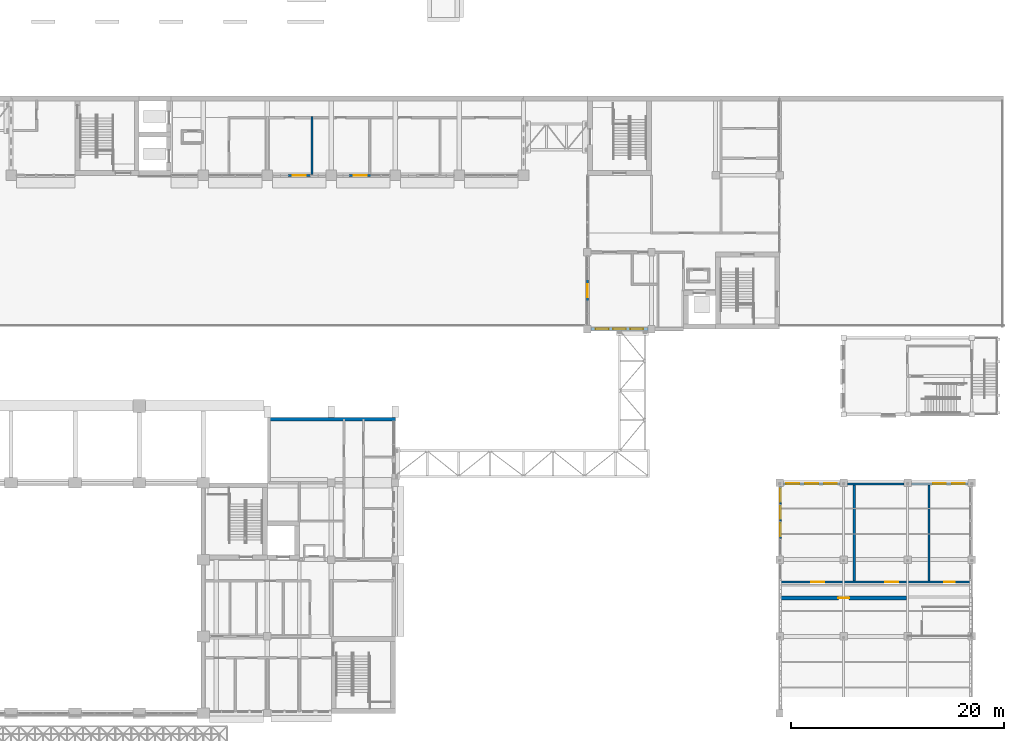
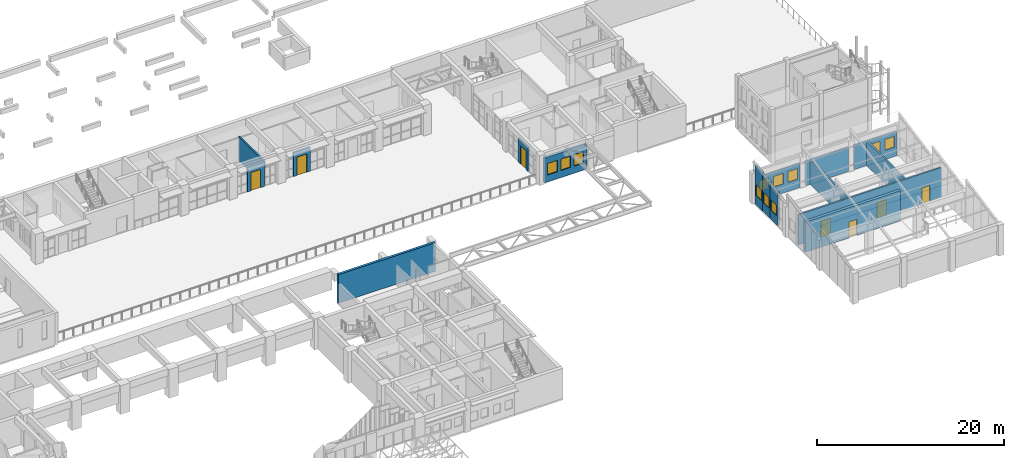
# One storey, part 69 of 103: 16 walls, 11 windows, 7 doors, 18 openings.
"""IFC4 building model written with IfcOpenShell, lengths in metres."""

from ifc_helpers import new_model, si_unit, direction, frame, frame_2d, origin, place, context, subcontext, project, spatial, rectangle, extrude, material, layer, layer_set, type_object, element, fill, save


model = new_model("IFC4")

# Units and contexts
model_context = context("Model", 3, precision=1e-05, world=origin(), true_north=direction((0.0, 1.0)))
body_context = subcontext(model_context, "Body", "Model", "MODEL_VIEW")
ifc_project = project(units=[si_unit("LENGTHUNIT", "METRE"), si_unit("AREAUNIT", "SQUARE_METRE"), si_unit("VOLUMEUNIT", "CUBIC_METRE"), si_unit("PLANEANGLEUNIT", "RADIAN"), si_unit("MASSUNIT", "GRAM", prefix="KILO")], contexts=[model_context])

# Site, building, storey
site_placement = place(None, origin())
site = spatial("IfcSite", under=ifc_project, at=site_placement, CompositionType="ELEMENT")
building_placement = place(site_placement, origin())
building = spatial("IfcBuilding", under=site, at=building_placement, Name="Laocheng Heights Fire and Rescue Headquarters", CompositionType="ELEMENT")
storey_placement = place(building_placement, frame((0.0, 0.0, 4.199951171875)))
storey = spatial("IfcBuildingStorey", under=building, at=storey_placement, Name="L01", CompositionType="ELEMENT", Elevation=4.199951171875)

# Walls
ifc_material_1 = material(Name="Gypsum plaster")
ifc_layer_1 = layer(ifc_material_1, 0.010009765625, Name="PLASTER", Category="plaster")
ifc_material_2 = material(Name="Concrete blockwork MU10", Category="masonry")
ifc_layer_2 = layer(ifc_material_2, 0.179931640625, Name="BLOCKWORK", Category="masonry")
ifc_layer_3 = layer(ifc_material_1, 0.010009765625, Name="PLASTER", Category="plaster")
ifc_layer_set_1 = layer_set([ifc_layer_1, ifc_layer_2, ifc_layer_3], Name="Concrete blockwork MU10")
wall_type_1 = type_object("IfcWallType", Name="BLOCKWORK FIRE PARTITION 200 EI 120 HQ WING", PredefinedType="PARTITIONING", material=ifc_layer_set_1)
wall_1_placement = place(storey_placement, frame((64.199951171875, 50.47509765625, 0.0), z_axis=(0.0, 0.0, 1.0), x_axis=(0.0, 1.0, 0.0)))
element("IfcWall", 1, at=wall_1_placement, inside=storey, type_object=wall_type_1, Name="Partition L01-004", PredefinedType="PARTITIONING", context=body_context, shape_type="SweptSolid", body=[
    extrude(rectangle(XDim=5.4248046875, YDim=0.199951171875, at=frame_2d((2.71240234375, 0.0))), origin(), (0.0, 0.0, 1.0), 3.150146484375),
])
ifc_material_3 = material(Name="Gypsum plaster")
ifc_layer_4 = layer(ifc_material_3, 0.010009765625, Name="PLASTER", Category="plaster")
ifc_material_4 = material(Name="Concrete blockwork MU10", Category="masonry")
ifc_layer_5 = layer(ifc_material_4, 0.179931640625, Name="BLOCKWORK", Category="masonry")
ifc_layer_6 = layer(ifc_material_3, 0.010009765625, Name="PLASTER", Category="plaster")
ifc_layer_set_2 = layer_set([ifc_layer_4, ifc_layer_5, ifc_layer_6], Name="Concrete blockwork MU10")
wall_type_2 = type_object("IfcWallType", Name="BLOCKWORK FIRE PARTITION 200 EI 60 WORK", PredefinedType="PARTITIONING", material=ifc_layer_set_2)
for number, where, z_axis, x_axis, name in (
    (2, (115.0, 12.39990234375, 0.0), (0.0, 0.0, 1.0), (0.0, 1.0, 0.0), "Partition L01-001"),
    (3, (122.0, 12.39990234375, 0.0), (0.0, 0.0, 1.0), (0.0, 1.0, 0.0), "Partition L01-002"),
):
    element("IfcWall", number, at=place(storey_placement, frame(where, z_axis=z_axis, x_axis=x_axis)), inside=storey, type_object=wall_type_2, Name=name, PredefinedType="PARTITIONING", context=body_context, shape_type="SweptSolid", body=[
        extrude(rectangle(XDim=9.050048828125, YDim=0.199951171875, at=frame_2d((4.52490234375, 0.0))), origin(), (0.0, 0.0, 1.0), 3.203857421875),
    ])

# Wall, openings, doors
wall_2_placement = place(storey_placement, frame((108.14990234375, 12.300048828125, 0.0), z_axis=(0.0, 0.0, 1.0), x_axis=(1.0, 0.0, 0.0)))
wall_2 = element("IfcWall", 4, at=wall_2_placement, inside=storey, type_object=wall_type_2, Name="Partition L01-004", PredefinedType="PARTITIONING", context=body_context, shape_type="SweptSolid", body=[
    extrude(rectangle(XDim=17.7001953125, YDim=0.199951171875, at=frame_2d((8.85009765625, 0.0))), origin(), (0.0, 0.0, 1.0), 3.949951171875),
])
opening_1_placement = place(wall_2_placement, frame((2.824951171875, 0.0, 0.0)))
opening_1 = element("IfcOpeningElement", 5, at=opening_1_placement, cuts=wall_2, Name="Opening L01-N02", PredefinedType="OPENING", context=body_context, shape_type="SweptSolid", body=[
    extrude(rectangle(XDim=1.199951171875, YDim=2.10009765625, at=frame_2d((0.60009765625, 1.050048828125))), frame((0.0, 0.10986328125, 0.0), z_axis=(0.0, -1.0, 0.0), x_axis=(1.0, 0.0, 0.0)), (0.0, 0.0, 1.0), 0.219970703125),
])
opening_2_placement = place(wall_2_placement, frame((9.75, 0.0, 0.0)))
opening_2 = element("IfcOpeningElement", 6, at=opening_2_placement, cuts=wall_2, Name="Opening L01-N03", PredefinedType="OPENING", context=body_context, shape_type="SweptSolid", body=[
    extrude(rectangle(XDim=1.199951171875, YDim=2.10009765625, at=frame_2d((0.60009765625, 1.050048828125))), frame((0.0, 0.10986328125, 0.0), z_axis=(0.0, -1.0, 0.0), x_axis=(1.0, 0.0, 0.0)), (0.0, 0.0, 1.0), 0.219970703125),
])
opening_3_placement = place(wall_2_placement, frame((15.27490234375, 0.0, 0.0)))
opening_3 = element("IfcOpeningElement", 7, at=opening_3_placement, cuts=wall_2, Name="Opening L01-N04", PredefinedType="OPENING", context=body_context, shape_type="SweptSolid", body=[
    extrude(rectangle(XDim=1.0, YDim=2.10009765625, at=frame_2d((0.5, 1.050048828125))), frame((0.0, 0.10986328125, 0.0), z_axis=(0.0, -1.0, 0.0), x_axis=(1.0, 0.0, 0.0)), (0.0, 0.0, 1.0), 0.219970703125),
])
ifc_material_5 = material(Name="Steel door leaf, painted", Category="steel")
door_type_1 = type_object("IfcDoorType", Name="STEEL FIRE DOOR 1000x2100 EI 60 WORK", OperationType="SINGLE_SWING_LEFT", PredefinedType="DOOR", material=ifc_material_5)
door_1_placement = place(opening_3_placement, origin())
door_1 = element("IfcDoor", 8, at=door_1_placement, inside=storey, type_object=door_type_1, Name="Door L01-N04", OperationType="SINGLE_SWING_LEFT", OverallHeight=2.10009765625, OverallWidth=1.0, PredefinedType="DOOR", context=body_context, shape_type="SweptSolid", body=[
    extrude(rectangle(XDim=1.0, YDim=2.10009765625, at=frame_2d((0.5, 1.050048828125))), frame((0.0, 0.02490234375, 0.0), z_axis=(0.0, -1.0, 0.0), x_axis=(1.0, 0.0, 0.0)), (0.0, 0.0, 1.0), 0.050048828125),
])
fill(opening_3, door_1)
ifc_material_6 = material(Name="Steel door leaf, painted", Category="steel")
door_type_2 = type_object("IfcDoorType", Name="STEEL FIRE DOOR 1200x2100 EI 60 WORK", OperationType="SINGLE_SWING_LEFT", PredefinedType="DOOR", material=ifc_material_6)
door_2_placement = place(opening_1_placement, origin())
door_2 = element("IfcDoor", 9, at=door_2_placement, inside=storey, type_object=door_type_2, Name="Door L01-N02", OperationType="SINGLE_SWING_RIGHT", OverallHeight=2.10009765625, OverallWidth=1.199951171875, PredefinedType="DOOR", context=body_context, shape_type="SweptSolid", body=[
    extrude(rectangle(XDim=1.199951171875, YDim=2.10009765625, at=frame_2d((0.60009765625, 1.050048828125))), frame((0.0, 0.02490234375, 0.0), z_axis=(0.0, -1.0, 0.0), x_axis=(1.0, 0.0, 0.0)), (0.0, 0.0, 1.0), 0.050048828125),
])
fill(opening_1, door_2)
door_3_placement = place(opening_2_placement, origin())
door_3 = element("IfcDoor", 10, at=door_3_placement, inside=storey, type_object=door_type_2, Name="Door L01-N03", OperationType="SINGLE_SWING_RIGHT", OverallHeight=2.10009765625, OverallWidth=1.199951171875, PredefinedType="DOOR", context=body_context, shape_type="SweptSolid", body=[
    extrude(rectangle(XDim=1.199951171875, YDim=2.10009765625, at=frame_2d((0.60009765625, 1.050048828125))), frame((0.0, 0.02490234375, 0.0), z_axis=(0.0, -1.0, 0.0), x_axis=(1.0, 0.0, 0.0)), (0.0, 0.0, 1.0), 0.050048828125),
])
fill(opening_2, door_3)

# Wall, opening, door
ifc_material_7 = material(Name="Precast concrete C40/50", Category="concrete")
ifc_layer_7 = layer(ifc_material_7, 0.199951171875)
ifc_layer_set_3 = layer_set([ifc_layer_7], Name="Precast concrete C40/50")
wall_type_3 = type_object("IfcWallType", Name="PRECAST ENTRANCE FRAME WALL 200", PredefinedType="SOLIDWALL", material=ifc_layer_set_3)
wall_3_placement = place(storey_placement, frame((61.949951171875, 50.39990234375, 0.0), z_axis=(0.0, 0.0, 1.0), x_axis=(1.0, 0.0, 0.0)))
wall_3 = element("IfcWall", 11, at=wall_3_placement, inside=storey, type_object=wall_type_3, Name="PRECAST ENTRANCE FRAME WALL HQ SOUTH L01", PredefinedType="SOLIDWALL", context=body_context, shape_type="SweptSolid", body=[
    extrude(rectangle(XDim=2.10009765625, YDim=0.199951171875, at=frame_2d((1.050048828125, 0.0))), origin(), (0.0, 0.0, 1.0), 3.150146484375),
])
opening_4_placement = place(wall_3_placement, frame((0.449951171875, 0.0, 0.0)))
opening_4 = element("IfcOpeningElement", 12, at=opening_4_placement, cuts=wall_3, Name="Opening L01-X02", PredefinedType="OPENING", context=body_context, shape_type="SweptSolid", body=[
    extrude(rectangle(XDim=1.199951171875, YDim=2.39990234375, at=frame_2d((0.60009765625, 1.199951171875))), frame((0.0, 0.10986328125, 0.0), z_axis=(0.0, -1.0, 0.0), x_axis=(1.0, 0.0, 0.0)), (0.0, 0.0, 1.0), 0.219970703125),
])
ifc_material_8 = material(Name="Dark anodised aluminium framed glazed door, low-e glazing", Category="aluminium")
door_type_3 = type_object("IfcDoorType", Name="COURT LOBBY ENTRANCE DOOR 1200 x 2400", OperationType="SINGLE_SWING_LEFT", PredefinedType="DOOR", material=ifc_material_8)
door_4_placement = place(opening_4_placement, frame((1.199951171875, 0.0, 0.0), z_axis=(0.0, 0.0, 1.0), x_axis=(-1.0, 0.0, 0.0)))
door_4 = element("IfcDoor", 13, at=door_4_placement, inside=storey, type_object=door_type_3, Name="COURT LOBBY ENTRANCE DOOR HQ SOUTH L01", OperationType="SINGLE_SWING_LEFT", OverallHeight=2.39990234375, OverallWidth=1.199951171875, PredefinedType="DOOR", context=body_context, shape_type="SweptSolid", body=[
    extrude(rectangle(XDim=1.199951171875, YDim=2.39990234375, at=frame_2d((0.60009765625, 1.199951171875))), frame((0.0, 0.02490234375, 0.0), z_axis=(0.0, -1.0, 0.0), x_axis=(1.0, 0.0, 0.0)), (0.0, 0.0, 1.0), 0.050048828125),
])
fill(opening_4, door_4)

wall_4_placement = place(storey_placement, frame((67.669921875, 50.39990234375, 0.0), z_axis=(0.0, 0.0, 1.0), x_axis=(1.0, 0.0, 0.0)))
wall_4 = element("IfcWall", 14, at=wall_4_placement, inside=storey, type_object=wall_type_3, Name="PRECAST ENTRANCE FRAME WALL HQ SOUTH L01", PredefinedType="SOLIDWALL", context=body_context, shape_type="SweptSolid", body=[
    extrude(rectangle(XDim=2.10009765625, YDim=0.199951171875, at=frame_2d((1.050048828125, 0.0))), origin(), (0.0, 0.0, 1.0), 3.150146484375),
])
opening_5_placement = place(wall_4_placement, frame((0.449951171875, 0.0, 0.0)))
opening_5 = element("IfcOpeningElement", 15, at=opening_5_placement, cuts=wall_4, Name="Opening L01-X03", PredefinedType="OPENING", context=body_context, shape_type="SweptSolid", body=[
    extrude(rectangle(XDim=1.199951171875, YDim=2.39990234375, at=frame_2d((0.60009765625, 1.199951171875))), frame((0.0, 0.10986328125, 0.0), z_axis=(0.0, -1.0, 0.0), x_axis=(1.0, 0.0, 0.0)), (0.0, 0.0, 1.0), 0.219970703125),
])
door_5_placement = place(opening_5_placement, frame((1.199951171875, 0.0, 0.0), z_axis=(0.0, 0.0, 1.0), x_axis=(-1.0, 0.0, 0.0)))
door_5 = element("IfcDoor", 16, at=door_5_placement, inside=storey, type_object=door_type_3, Name="COURT LOBBY ENTRANCE DOOR HQ SOUTH L01", OperationType="SINGLE_SWING_RIGHT", OverallHeight=2.39990234375, OverallWidth=1.199951171875, PredefinedType="DOOR", context=body_context, shape_type="SweptSolid", body=[
    extrude(rectangle(XDim=1.199951171875, YDim=2.39990234375, at=frame_2d((0.60009765625, 1.199951171875))), frame((0.0, 0.02490234375, 0.0), z_axis=(0.0, -1.0, 0.0), x_axis=(1.0, 0.0, 0.0)), (0.0, 0.0, 1.0), 0.050048828125),
])
fill(opening_5, door_5)

ifc_material_9 = material(Name="Precast concrete C40/50", Category="concrete")
ifc_layer_8 = layer(ifc_material_9, 0.199951171875)
ifc_layer_set_4 = layer_set([ifc_layer_8], Name="Precast concrete C40/50")
wall_type_4 = type_object("IfcWallType", Name="PRECAST ENTRANCE FRAME WALL CREW 200", PredefinedType="SOLIDWALL", material=ifc_layer_set_4)
wall_5_placement = place(storey_placement, frame((90.0, 38.550048828125, 0.0), z_axis=(0.0, 0.0, 1.0), x_axis=(0.0, 1.0, 0.0)))
wall_5 = element("IfcWall", 17, at=wall_5_placement, inside=storey, type_object=wall_type_4, Name="PRECAST ENTRANCE FRAME WALL CREW CREW WEST L01", PredefinedType="SOLIDWALL", context=body_context, shape_type="SweptSolid", body=[
    extrude(rectangle(XDim=2.099853515625, YDim=0.199951171875, at=frame_2d((1.0498046875, 0.0))), origin(), (0.0, 0.0, 1.0), 3.150146484375),
])
opening_6_placement = place(wall_5_placement, frame((0.449951171875, 0.0, 0.0)))
opening_6 = element("IfcOpeningElement", 18, at=opening_6_placement, cuts=wall_5, Name="Opening L01-W01", PredefinedType="OPENING", context=body_context, shape_type="SweptSolid", body=[
    extrude(rectangle(XDim=1.199951171875, YDim=2.39990234375, at=frame_2d((0.60009765625, 1.199951171875))), frame((0.0, 0.10986328125, 0.0), z_axis=(0.0, -1.0, 0.0), x_axis=(1.0, 0.0, 0.0)), (0.0, 0.0, 1.0), 0.219970703125),
])
ifc_material_10 = material(Name="Dark anodised aluminium framed glazed door, low-e glazing", Category="aluminium")
door_type_4 = type_object("IfcDoorType", Name="DAY ROOM COURT DOOR 1200 x 2400", OperationType="SINGLE_SWING_LEFT", PredefinedType="DOOR", material=ifc_material_10)
door_6_placement = place(opening_6_placement, origin())
door_6 = element("IfcDoor", 19, at=door_6_placement, inside=storey, type_object=door_type_4, Name="DAY ROOM COURT DOOR CREW WEST L01", OperationType="SINGLE_SWING_LEFT", OverallHeight=2.39990234375, OverallWidth=1.199951171875, PredefinedType="DOOR", context=body_context, shape_type="SweptSolid", body=[
    extrude(rectangle(XDim=1.199951171875, YDim=2.39990234375, at=frame_2d((0.60009765625, 1.199951171875))), frame((0.0, 0.02490234375, 0.0), z_axis=(0.0, -1.0, 0.0), x_axis=(1.0, 0.0, 0.0)), (0.0, 0.0, 1.0), 0.050048828125),
])
fill(opening_6, door_6)

# Wall, openings, windows
ifc_material_11 = material(Name="Precast concrete C40/50", Category="concrete")
ifc_layer_9 = layer(ifc_material_11, 0.300048828125)
ifc_layer_set_5 = layer_set([ifc_layer_9], Name="Precast concrete C40/50")
wall_type_5 = type_object("IfcWallType", Name="PRECAST WALL PANEL CREW 300", PredefinedType="SOLIDWALL", material=ifc_layer_set_5)
wall_6_placement = place(storey_placement, frame((90.35009765625, 36.0, 0.0), z_axis=(0.0, 0.0, 1.0), x_axis=(1.0, 0.0, 0.0)))
wall_6 = element("IfcWall", 20, at=wall_6_placement, inside=storey, type_object=wall_type_5, Name="PRECAST WALL PANEL CREW CREW SOUTH L01", PredefinedType="SOLIDWALL", context=body_context, shape_type="SweptSolid", body=[
    extrude(rectangle(XDim=5.2998046875, YDim=0.300048828125, at=frame_2d((2.64990234375, 0.0))), origin(), (0.0, 0.0, 1.0), 3.25),
])
opening_7_placement = place(wall_6_placement, frame((0.425048828125, 0.0, 0.89990234375)))
opening_7 = element("IfcOpeningElement", 21, at=opening_7_placement, cuts=wall_6, Name="Opening N3-W", PredefinedType="OPENING", context=body_context, shape_type="SweptSolid", body=[
    extrude(rectangle(XDim=1.199951171875, YDim=1.5, at=frame_2d((0.60009765625, 0.75))), frame((0.0, 0.159912109375, 0.0), z_axis=(0.0, -1.0, 0.0), x_axis=(1.0, 0.0, 0.0)), (0.0, 0.0, 1.0), 0.320068359375),
])
opening_8_placement = place(wall_6_placement, frame((2.050048828125, 0.0, 0.89990234375)))
opening_8 = element("IfcOpeningElement", 22, at=opening_8_placement, cuts=wall_6, Name="Opening N3-W", PredefinedType="OPENING", context=body_context, shape_type="SweptSolid", body=[
    extrude(rectangle(XDim=1.199951171875, YDim=1.5, at=frame_2d((0.60009765625, 0.75))), frame((0.0, 0.159912109375, 0.0), z_axis=(0.0, -1.0, 0.0), x_axis=(1.0, 0.0, 0.0)), (0.0, 0.0, 1.0), 0.320068359375),
])
opening_9_placement = place(wall_6_placement, frame((3.675048828125, 0.0, 0.89990234375)))
opening_9 = element("IfcOpeningElement", 23, at=opening_9_placement, cuts=wall_6, Name="Opening N3-W", PredefinedType="OPENING", context=body_context, shape_type="SweptSolid", body=[
    extrude(rectangle(XDim=1.199951171875, YDim=1.5, at=frame_2d((0.60009765625, 0.75))), frame((0.0, 0.159912109375, 0.0), z_axis=(0.0, -1.0, 0.0), x_axis=(1.0, 0.0, 0.0)), (0.0, 0.0, 1.0), 0.320068359375),
])
ifc_material_12 = material(Name="Low-e double glazing in aluminium frame", Category="aluminium")
window_type_1 = type_object("IfcWindowType", Name="WINDOW 1200 x 1500 CREW GENERAL", PartitioningType="SINGLE_PANEL", PredefinedType="WINDOW", material=ifc_material_12)
window_1_placement = place(opening_7_placement, origin())
window_1 = element("IfcWindow", 24, at=window_1_placement, inside=storey, type_object=window_type_1, Name="CREW GENERAL CREW SOUTH L01", OverallHeight=1.5, OverallWidth=1.199951171875, PartitioningType="SINGLE_PANEL", PredefinedType="WINDOW", context=body_context, shape_type="SweptSolid", body=[
    extrude(rectangle(XDim=1.199951171875, YDim=1.5, at=frame_2d((0.60009765625, 0.75))), frame((0.0, 0.030029296875, 0.0), z_axis=(0.0, -1.0, 0.0), x_axis=(1.0, 0.0, 0.0)), (0.0, 0.0, 1.0), 0.06005859375),
])
fill(opening_7, window_1)
window_2_placement = place(opening_8_placement, origin())
window_2 = element("IfcWindow", 25, at=window_2_placement, inside=storey, type_object=window_type_1, Name="CREW GENERAL CREW SOUTH L01", OverallHeight=1.5, OverallWidth=1.199951171875, PartitioningType="SINGLE_PANEL", PredefinedType="WINDOW", context=body_context, shape_type="SweptSolid", body=[
    extrude(rectangle(XDim=1.199951171875, YDim=1.5, at=frame_2d((0.60009765625, 0.75))), frame((0.0, 0.030029296875, 0.0), z_axis=(0.0, -1.0, 0.0), x_axis=(1.0, 0.0, 0.0)), (0.0, 0.0, 1.0), 0.06005859375),
])
fill(opening_8, window_2)
window_3_placement = place(opening_9_placement, origin())
window_3 = element("IfcWindow", 26, at=window_3_placement, inside=storey, type_object=window_type_1, Name="CREW GENERAL CREW SOUTH L01", OverallHeight=1.5, OverallWidth=1.199951171875, PartitioningType="SINGLE_PANEL", PredefinedType="WINDOW", context=body_context, shape_type="SweptSolid", body=[
    extrude(rectangle(XDim=1.199951171875, YDim=1.5, at=frame_2d((0.60009765625, 0.75))), frame((0.0, 0.030029296875, 0.0), z_axis=(0.0, -1.0, 0.0), x_axis=(1.0, 0.0, 0.0)), (0.0, 0.0, 1.0), 0.06005859375),
])
fill(opening_9, window_3)

ifc_material_13 = material(Name="Aluminium profiled sheet cladding on insulated steel liner", Category="steel")
ifc_layer_10 = layer(ifc_material_13, 0.199951171875)
ifc_layer_set_6 = layer_set([ifc_layer_10], Name="Aluminium profiled sheet cladding on insulated steel liner")
wall_type_6 = type_object("IfcWallType", Name="PROFILED METAL CLAD WALL 200 WORKSHOP", PredefinedType="SOLIDWALL", material=ifc_layer_set_6)
wall_7_placement = place(storey_placement, frame((108.35009765625, 21.5, 0.0), z_axis=(0.0, 0.0, 1.0), x_axis=(1.0, 0.0, 0.0)))
wall_7 = element("IfcWall", 27, at=wall_7_placement, inside=storey, type_object=wall_type_6, Name="Workshop wall L01", PredefinedType="SOLIDWALL", context=body_context, shape_type="SweptSolid", body=[
    extrude(rectangle(XDim=5.2998046875, YDim=0.199951171875, at=frame_2d((2.64990234375, 0.0))), origin(), (0.0, 0.0, 1.0), 3.203857421875),
])
opening_10_placement = place(wall_7_placement, frame((0.283203125, 0.0, 1.199951171875)))
opening_10 = element("IfcOpeningElement", 28, at=opening_10_placement, cuts=wall_7, Name="Opening N4-E", PredefinedType="OPENING", context=body_context, shape_type="SweptSolid", body=[
    extrude(rectangle(XDim=1.199951171875, YDim=1.39990234375, at=frame_2d((0.60009765625, 0.699951171875))), frame((0.0, 0.10986328125, 0.0), z_axis=(0.0, -1.0, 0.0), x_axis=(1.0, 0.0, 0.0)), (0.0, 0.0, 1.0), 0.219970703125),
])
opening_11_placement = place(wall_7_placement, frame((2.050048828125, 0.0, 1.199951171875)))
opening_11 = element("IfcOpeningElement", 29, at=opening_11_placement, cuts=wall_7, Name="Opening N4-E", PredefinedType="OPENING", context=body_context, shape_type="SweptSolid", body=[
    extrude(rectangle(XDim=1.199951171875, YDim=1.39990234375, at=frame_2d((0.60009765625, 0.699951171875))), frame((0.0, 0.10986328125, 0.0), z_axis=(0.0, -1.0, 0.0), x_axis=(1.0, 0.0, 0.0)), (0.0, 0.0, 1.0), 0.219970703125),
])
opening_12_placement = place(wall_7_placement, frame((3.816650390625, 0.0, 1.199951171875)))
opening_12 = element("IfcOpeningElement", 30, at=opening_12_placement, cuts=wall_7, Name="Opening N4-E", PredefinedType="OPENING", context=body_context, shape_type="SweptSolid", body=[
    extrude(rectangle(XDim=1.199951171875, YDim=1.39990234375, at=frame_2d((0.60009765625, 0.699951171875))), frame((0.0, 0.10986328125, 0.0), z_axis=(0.0, -1.0, 0.0), x_axis=(1.0, 0.0, 0.0)), (0.0, 0.0, 1.0), 0.219970703125),
])
ifc_material_14 = material(Name="Low-e double glazing in thermally broken aluminium frame", Category="aluminium")
window_type_2 = type_object("IfcWindowType", Name="CLERESTORY WINDOW 1200 x 1400 SILL 1200", PartitioningType="SINGLE_PANEL", PredefinedType="WINDOW", material=ifc_material_14)
window_4_placement = place(opening_10_placement, origin())
window_4 = element("IfcWindow", 31, at=window_4_placement, inside=storey, type_object=window_type_2, Name="Workshop window L01", OverallHeight=1.39990234375, OverallWidth=1.199951171875, PartitioningType="SINGLE_PANEL", PredefinedType="WINDOW", context=body_context, shape_type="SweptSolid", body=[
    extrude(rectangle(XDim=1.199951171875, YDim=1.39990234375, at=frame_2d((0.60009765625, 0.699951171875))), frame((0.0, 0.030029296875, 0.0), z_axis=(0.0, -1.0, 0.0), x_axis=(1.0, 0.0, 0.0)), (0.0, 0.0, 1.0), 0.06005859375),
])
fill(opening_10, window_4)
window_5_placement = place(opening_11_placement, origin())
window_5 = element("IfcWindow", 32, at=window_5_placement, inside=storey, type_object=window_type_2, Name="Workshop window L01", OverallHeight=1.39990234375, OverallWidth=1.199951171875, PartitioningType="SINGLE_PANEL", PredefinedType="WINDOW", context=body_context, shape_type="SweptSolid", body=[
    extrude(rectangle(XDim=1.199951171875, YDim=1.39990234375, at=frame_2d((0.60009765625, 0.699951171875))), frame((0.0, 0.030029296875, 0.0), z_axis=(0.0, -1.0, 0.0), x_axis=(1.0, 0.0, 0.0)), (0.0, 0.0, 1.0), 0.06005859375),
])
fill(opening_11, window_5)
window_6_placement = place(opening_12_placement, origin())
window_6 = element("IfcWindow", 33, at=window_6_placement, inside=storey, type_object=window_type_2, Name="Workshop window L01", OverallHeight=1.39990234375, OverallWidth=1.199951171875, PartitioningType="SINGLE_PANEL", PredefinedType="WINDOW", context=body_context, shape_type="SweptSolid", body=[
    extrude(rectangle(XDim=1.199951171875, YDim=1.39990234375, at=frame_2d((0.60009765625, 0.699951171875))), frame((0.0, 0.030029296875, 0.0), z_axis=(0.0, -1.0, 0.0), x_axis=(1.0, 0.0, 0.0)), (0.0, 0.0, 1.0), 0.06005859375),
])
fill(opening_12, window_6)

# Wall
wall_8_placement = place(storey_placement, frame((114.35009765625, 21.5, 0.0), z_axis=(0.0, 0.0, 1.0), x_axis=(1.0, 0.0, 0.0)))
element("IfcWall", 34, at=wall_8_placement, inside=storey, type_object=wall_type_6, Name="Workshop wall L01", PredefinedType="SOLIDWALL", context=body_context, shape_type="SweptSolid", body=[
    extrude(rectangle(XDim=5.2998046875, YDim=0.199951171875, at=frame_2d((2.64990234375, 0.0))), origin(), (0.0, 0.0, 1.0), 3.203857421875),
])

# Wall, openings, windows
wall_9_placement = place(storey_placement, frame((120.35009765625, 21.5, 0.0), z_axis=(0.0, 0.0, 1.0), x_axis=(1.0, 0.0, 0.0)))
wall_9 = element("IfcWall", 35, at=wall_9_placement, inside=storey, type_object=wall_type_6, Name="Workshop wall L01", PredefinedType="SOLIDWALL", context=body_context, shape_type="SweptSolid", body=[
    extrude(rectangle(XDim=5.2998046875, YDim=0.199951171875, at=frame_2d((2.64990234375, 0.0))), origin(), (0.0, 0.0, 1.0), 3.203857421875),
])
opening_13_placement = place(wall_9_placement, frame((2.03759765625, 0.0, 1.199951171875)))
opening_13 = element("IfcOpeningElement", 36, at=opening_13_placement, cuts=wall_9, Name="Opening N4-E", PredefinedType="OPENING", context=body_context, shape_type="SweptSolid", body=[
    extrude(rectangle(XDim=1.199951171875, YDim=1.39990234375, at=frame_2d((0.60009765625, 0.699951171875))), frame((0.0, 0.10986328125, 0.0), z_axis=(0.0, -1.0, 0.0), x_axis=(1.0, 0.0, 0.0)), (0.0, 0.0, 1.0), 0.219970703125),
])
opening_14_placement = place(wall_9_placement, frame((3.8125, 0.0, 1.199951171875)))
opening_14 = element("IfcOpeningElement", 37, at=opening_14_placement, cuts=wall_9, Name="Opening N4-E", PredefinedType="OPENING", context=body_context, shape_type="SweptSolid", body=[
    extrude(rectangle(XDim=1.199951171875, YDim=1.39990234375, at=frame_2d((0.60009765625, 0.699951171875))), frame((0.0, 0.10986328125, 0.0), z_axis=(0.0, -1.0, 0.0), x_axis=(1.0, 0.0, 0.0)), (0.0, 0.0, 1.0), 0.219970703125),
])
window_7_placement = place(opening_13_placement, origin())
window_7 = element("IfcWindow", 38, at=window_7_placement, inside=storey, type_object=window_type_2, Name="Workshop window L01", OverallHeight=1.39990234375, OverallWidth=1.199951171875, PartitioningType="SINGLE_PANEL", PredefinedType="WINDOW", context=body_context, shape_type="SweptSolid", body=[
    extrude(rectangle(XDim=1.199951171875, YDim=1.39990234375, at=frame_2d((0.60009765625, 0.699951171875))), frame((0.0, 0.030029296875, 0.0), z_axis=(0.0, -1.0, 0.0), x_axis=(1.0, 0.0, 0.0)), (0.0, 0.0, 1.0), 0.06005859375),
])
fill(opening_13, window_7)
window_8_placement = place(opening_14_placement, origin())
window_8 = element("IfcWindow", 39, at=window_8_placement, inside=storey, type_object=window_type_2, Name="Workshop window L01", OverallHeight=1.39990234375, OverallWidth=1.199951171875, PartitioningType="SINGLE_PANEL", PredefinedType="WINDOW", context=body_context, shape_type="SweptSolid", body=[
    extrude(rectangle(XDim=1.199951171875, YDim=1.39990234375, at=frame_2d((0.60009765625, 0.699951171875))), frame((0.0, 0.030029296875, 0.0), z_axis=(0.0, -1.0, 0.0), x_axis=(1.0, 0.0, 0.0)), (0.0, 0.0, 1.0), 0.06005859375),
])
fill(opening_14, window_8)

# Wall, opening, window
wall_10_placement = place(storey_placement, frame((108.10009765625, 16.375, 0.0), z_axis=(0.0, 0.0, 1.0), x_axis=(0.0, 1.0, 0.0)))
wall_10 = element("IfcWall", 40, at=wall_10_placement, inside=storey, type_object=wall_type_6, Name="Workshop wall L01", PredefinedType="SOLIDWALL", context=body_context, shape_type="SweptSolid", body=[
    extrude(rectangle(XDim=1.625, YDim=0.199951171875, at=frame_2d((0.8125, 0.0))), origin(), (0.0, 0.0, 1.0), 4.375244140625),
])
opening_15_placement = place(wall_10_placement, frame((0.21240234375, 0.0, 1.199951171875)))
opening_15 = element("IfcOpeningElement", 41, at=opening_15_placement, cuts=wall_10, Name="Opening N4-E", PredefinedType="OPENING", context=body_context, shape_type="SweptSolid", body=[
    extrude(rectangle(XDim=1.199951171875, YDim=1.39990234375, at=frame_2d((0.60009765625, 0.699951171875))), frame((0.0, 0.10986328125, 0.0), z_axis=(0.0, -1.0, 0.0), x_axis=(1.0, 0.0, 0.0)), (0.0, 0.0, 1.0), 0.219970703125),
])
window_9_placement = place(opening_15_placement, origin())
window_9 = element("IfcWindow", 42, at=window_9_placement, inside=storey, type_object=window_type_2, Name="Workshop window L01", OverallHeight=1.39990234375, OverallWidth=1.199951171875, PartitioningType="SINGLE_PANEL", PredefinedType="WINDOW", context=body_context, shape_type="SweptSolid", body=[
    extrude(rectangle(XDim=1.199951171875, YDim=1.39990234375, at=frame_2d((0.60009765625, 0.699951171875))), frame((0.0, 0.030029296875, 0.0), z_axis=(0.0, -1.0, 0.0), x_axis=(1.0, 0.0, 0.0)), (0.0, 0.0, 1.0), 0.06005859375),
])
fill(opening_15, window_9)

wall_11_placement = place(storey_placement, frame((108.10009765625, 18.0, 0.0), z_axis=(0.0, 0.0, 1.0), x_axis=(0.0, 1.0, 0.0)))
wall_11 = element("IfcWall", 43, at=wall_11_placement, inside=storey, type_object=wall_type_6, Name="Workshop wall L01", PredefinedType="SOLIDWALL", context=body_context, shape_type="SweptSolid", body=[
    extrude(rectangle(XDim=1.625, YDim=0.199951171875, at=frame_2d((0.8125, 0.0))), origin(), (0.0, 0.0, 1.0), 4.69140625),
])
opening_16_placement = place(wall_11_placement, frame((0.21240234375, 0.0, 1.199951171875)))
opening_16 = element("IfcOpeningElement", 44, at=opening_16_placement, cuts=wall_11, Name="Opening N4-E", PredefinedType="OPENING", context=body_context, shape_type="SweptSolid", body=[
    extrude(rectangle(XDim=1.199951171875, YDim=1.39990234375, at=frame_2d((0.60009765625, 0.699951171875))), frame((0.0, 0.10986328125, 0.0), z_axis=(0.0, -1.0, 0.0), x_axis=(1.0, 0.0, 0.0)), (0.0, 0.0, 1.0), 0.219970703125),
])
window_10_placement = place(opening_16_placement, origin())
window_10 = element("IfcWindow", 45, at=window_10_placement, inside=storey, type_object=window_type_2, Name="Workshop window L01", OverallHeight=1.39990234375, OverallWidth=1.199951171875, PartitioningType="SINGLE_PANEL", PredefinedType="WINDOW", context=body_context, shape_type="SweptSolid", body=[
    extrude(rectangle(XDim=1.199951171875, YDim=1.39990234375, at=frame_2d((0.60009765625, 0.699951171875))), frame((0.0, 0.030029296875, 0.0), z_axis=(0.0, -1.0, 0.0), x_axis=(1.0, 0.0, 0.0)), (0.0, 0.0, 1.0), 0.06005859375),
])
fill(opening_16, window_10)

wall_12_placement = place(storey_placement, frame((108.10009765625, 19.625, 0.0), z_axis=(0.0, 0.0, 1.0), x_axis=(0.0, 1.0, 0.0)))
wall_12 = element("IfcWall", 46, at=wall_12_placement, inside=storey, type_object=wall_type_6, Name="Workshop wall L01", PredefinedType="SOLIDWALL", context=body_context, shape_type="SweptSolid", body=[
    extrude(rectangle(XDim=1.625, YDim=0.199951171875, at=frame_2d((0.8125, 0.0))), origin(), (0.0, 0.0, 1.0), 5.00732421875),
])
opening_17_placement = place(wall_12_placement, frame((0.21240234375, 0.0, 1.199951171875)))
opening_17 = element("IfcOpeningElement", 47, at=opening_17_placement, cuts=wall_12, Name="Opening N4-E", PredefinedType="OPENING", context=body_context, shape_type="SweptSolid", body=[
    extrude(rectangle(XDim=1.199951171875, YDim=1.39990234375, at=frame_2d((0.60009765625, 0.699951171875))), frame((0.0, 0.10986328125, 0.0), z_axis=(0.0, -1.0, 0.0), x_axis=(1.0, 0.0, 0.0)), (0.0, 0.0, 1.0), 0.219970703125),
])
window_11_placement = place(opening_17_placement, origin())
window_11 = element("IfcWindow", 48, at=window_11_placement, inside=storey, type_object=window_type_2, Name="Workshop window L01", OverallHeight=1.39990234375, OverallWidth=1.199951171875, PartitioningType="SINGLE_PANEL", PredefinedType="WINDOW", context=body_context, shape_type="SweptSolid", body=[
    extrude(rectangle(XDim=1.199951171875, YDim=1.39990234375, at=frame_2d((0.60009765625, 0.699951171875))), frame((0.0, 0.030029296875, 0.0), z_axis=(0.0, -1.0, 0.0), x_axis=(1.0, 0.0, 0.0)), (0.0, 0.0, 1.0), 0.06005859375),
])
fill(opening_17, window_11)

# Wall, opening, door
ifc_material_15 = material(Name="Gypsum plaster")
ifc_layer_11 = layer(ifc_material_15, 0.010009765625, Name="PLASTER", Category="plaster")
ifc_material_16 = material(Name="Concrete blockwork MU10", Category="masonry")
ifc_layer_12 = layer(ifc_material_16, 0.10009765625, Name="BLOCK SHELL", Category="masonry")
ifc_material_17 = material(Name="Concrete C30", Category="concrete")
ifc_layer_13 = layer(ifc_material_17, 0.1298828125, Name="CONCRETE FILL", Category="structure")
ifc_layer_14 = layer(ifc_material_16, 0.10009765625, Name="BLOCK SHELL", Category="masonry")
ifc_layer_15 = layer(ifc_material_15, 0.010009765625, Name="PLASTER", Category="plaster")
ifc_layer_set_7 = layer_set([ifc_layer_11, ifc_layer_12, ifc_layer_13, ifc_layer_14, ifc_layer_15], Name="Concrete blockwork MU10")
wall_type_7 = type_object("IfcWallType", Name="RC FILLED BLOCK FIRE WALL 350 EI 180 WORK", PredefinedType="PARTITIONING", material=ifc_layer_set_7)
wall_13_placement = place(storey_placement, frame((108.14990234375, 10.800048828125, 0.0), z_axis=(0.0, 0.0, 1.0), x_axis=(1.0, 0.0, 0.0)))
wall_13 = element("IfcWall", 49, at=wall_13_placement, inside=storey, type_object=wall_type_7, Name="Partition L01-003", PredefinedType="PARTITIONING", context=body_context, shape_type="SweptSolid", body=[
    extrude(rectangle(XDim=11.72509765625, YDim=0.35009765625, at=frame_2d((5.862548828125, 0.0))), origin(), (0.0, 0.0, 1.0), 3.949951171875),
])
opening_18_placement = place(wall_13_placement, frame((5.362548828125, 0.0, 0.0)))
opening_18 = element("IfcOpeningElement", 50, at=opening_18_placement, cuts=wall_13, Name="Opening L01-N01", PredefinedType="OPENING", context=body_context, shape_type="SweptSolid", body=[
    extrude(rectangle(XDim=1.0, YDim=2.10009765625, at=frame_2d((0.5, 1.050048828125))), frame((0.0, 0.18505859375, 0.0), z_axis=(0.0, -1.0, 0.0), x_axis=(1.0, 0.0, 0.0)), (0.0, 0.0, 1.0), 0.3701171875),
])
ifc_material_18 = material(Name="Steel door leaf, painted", Category="steel")
door_type_5 = type_object("IfcDoorType", Name="STEEL FIRE DOOR 1000x2100 EI 120 WORK", OperationType="SINGLE_SWING_LEFT", PredefinedType="DOOR", material=ifc_material_18)
door_7_placement = place(opening_18_placement, frame((1.0, 0.0, 0.0), z_axis=(0.0, 0.0, 1.0), x_axis=(-1.0, 0.0, 0.0)))
door_7 = element("IfcDoor", 51, at=door_7_placement, inside=storey, type_object=door_type_5, Name="Door L01-N01", OperationType="SINGLE_SWING_RIGHT", OverallHeight=2.10009765625, OverallWidth=1.0, PredefinedType="DOOR", context=body_context, shape_type="SweptSolid", body=[
    extrude(rectangle(XDim=1.0, YDim=2.10009765625, at=frame_2d((0.5, 1.050048828125))), frame((0.0, 0.02490234375, 0.0), z_axis=(0.0, -1.0, 0.0), x_axis=(1.0, 0.0, 0.0)), (0.0, 0.0, 1.0), 0.050048828125),
])
fill(opening_18, door_7)

# Wall
ifc_material_19 = material(Name="Concrete C40", Category="concrete")
ifc_layer_16 = layer(ifc_material_19, 0.300048828125)
ifc_layer_set_8 = layer_set([ifc_layer_16], Name="Concrete C40")
wall_type_8 = type_object("IfcWallType", Name="RC WALL 300 ANNEX NORTH", PredefinedType="SOLIDWALL", material=ifc_layer_set_8)
wall_14_placement = place(storey_placement, frame((60.0, 27.550048828125, 0.0), z_axis=(0.0, 0.0, 1.0), x_axis=(1.0, 0.0, 0.0)))
element("IfcWall", 52, at=wall_14_placement, inside=storey, type_object=wall_type_8, Name="Annex wall L01", PredefinedType="SOLIDWALL", context=body_context, shape_type="SweptSolid", body=[
    extrude(rectangle(XDim=12.0, YDim=0.300048828125, at=frame_2d((6.0, 0.0))), origin(), (0.0, 0.0, 1.0), 3.75),
])

save(model, "model.ifc")
